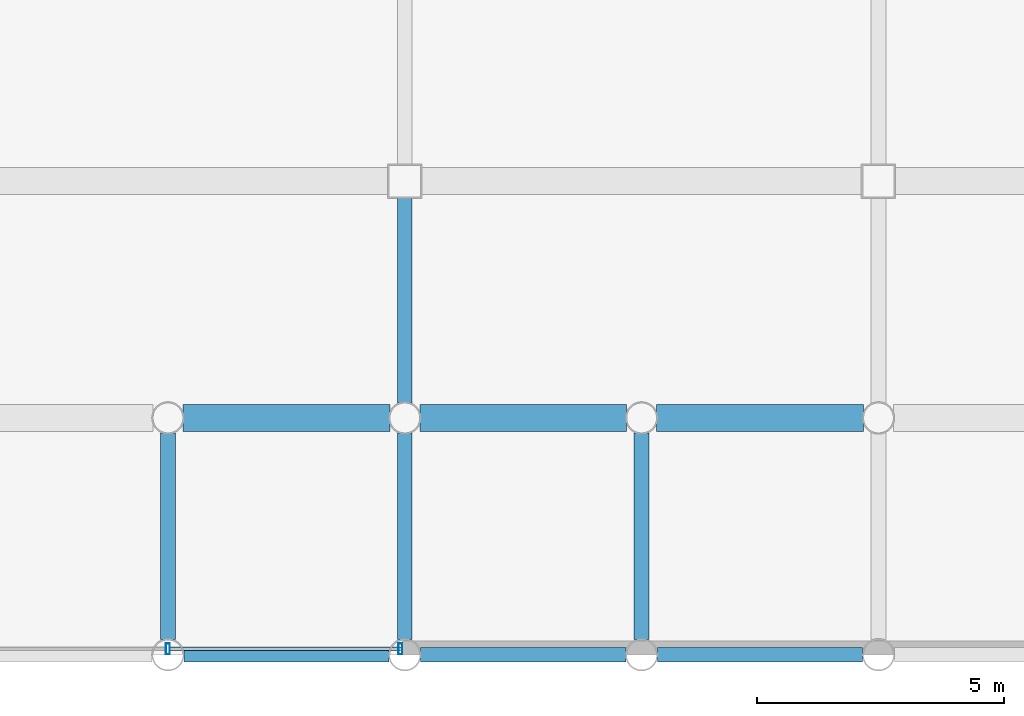
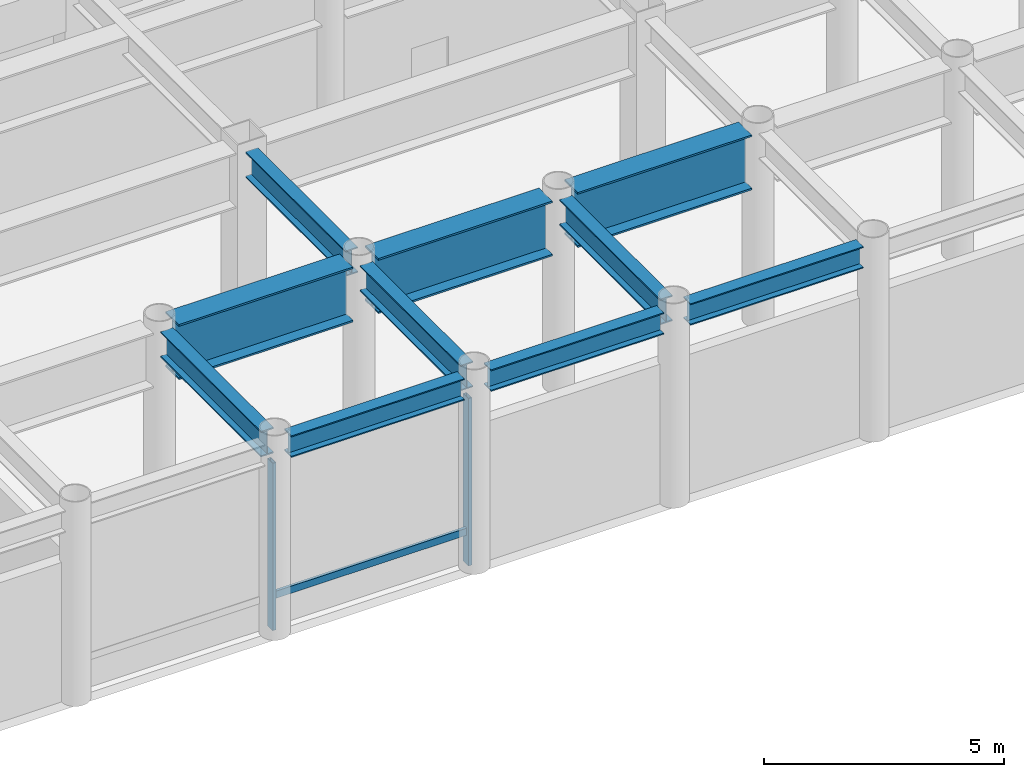
# One storey, part 6 of 20: 10 beams, 3 members, 1 element without a shape of its own.
"""IFC4 building model written with IfcOpenShell, lengths in metres."""

from ifc_helpers import new_model, si_unit, direction, frame, origin, origin_2d, place, context, subcontext, project, spatial, hollow_rectangle, i_section, extrude, material, layer, layer_set, material_profile, profile_set, type_object, element, aggregate, save


model = new_model("IFC4")

# Units and contexts
model_context = context("Model", 3, precision=1e-05, world=origin(), true_north=direction((0.0, 1.0)))
body_context = subcontext(model_context, "Body", "Model", "MODEL_VIEW")
ifc_project = project(units=[si_unit("LENGTHUNIT", "METRE"), si_unit("AREAUNIT", "SQUARE_METRE"), si_unit("VOLUMEUNIT", "CUBIC_METRE"), si_unit("PLANEANGLEUNIT", "RADIAN"), si_unit("MASSUNIT", "GRAM", prefix="KILO")], contexts=[model_context])

# Site, building, storey
site_placement = place(None, origin())
site = spatial("IfcSite", under=ifc_project, at=site_placement, CompositionType="ELEMENT")
building_placement = place(site_placement, origin())
building = spatial("IfcBuilding", under=site, at=building_placement, Name="Kallvorn Hotel Tower", CompositionType="ELEMENT")
storey_placement = place(building_placement, frame((0.0, 0.0, 180.300048828125)))
storey = spatial("IfcBuildingStorey", under=building, at=storey_placement, Name="L45", CompositionType="ELEMENT", Elevation=180.300048828125)

# Beams
ifc_material_1 = material(Name="Structural steel S355JR", Category="steel")
ifc_material_profile_1 = material_profile(ifc_material_1, i_section(OverallWidth=0.300048828125, OverallDepth=0.550048828125, WebThickness=0.014892578125, FlangeThickness=0.029052734375, at=origin_2d()), Name="HE 550 B")
ifc_profile_set_1 = profile_set([ifc_material_profile_1], Name="Structural steel S355JR")
beam_type_1 = type_object("IfcBeamType", Name="BM_HE550B", PredefinedType="SPANDREL", material=ifc_profile_set_1)
for number, where, z_axis, x_axis, name in (
    (1, (0.320068359375, -24.0, 4.675048828125), (1.0, 0.0, 0.0), (0.0, 1.0, 0.0), "L46 Perimeter Spandrel 157"),
    (2, (5.1201171875, -24.0, 4.675048828125), (1.0, 0.0, 0.0), (0.0, 1.0, 0.0), "L46 Perimeter Spandrel 158"),
):
    element("IfcBeam", number, at=place(storey_placement, frame(where, z_axis=z_axis, x_axis=x_axis)), inside=storey, type_object=beam_type_1, Name=name, PredefinedType="SPANDREL", context=body_context, shape_type="SweptSolid", body=[
        extrude(i_section(OverallWidth=0.300048828125, OverallDepth=0.550048828125, WebThickness=0.014892578125, FlangeThickness=0.029052734375, at=origin_2d()), origin(), (0.0, 0.0, 1.0), 4.159912109375),
    ])
beam_1_placement = place(storey_placement, frame((9.919921875, -24.0, 4.675048828125), z_axis=(1.0, 0.0, 0.0), x_axis=(0.0, 1.0, 0.0)))
element("IfcBeam", 3, at=beam_1_placement, inside=storey, type_object=beam_type_1, Name="L46 Perimeter Spandrel 159", PredefinedType="SPANDREL", context=body_context, shape_type="SweptSolid", body=[
    extrude(i_section(OverallWidth=0.300048828125, OverallDepth=0.550048828125, WebThickness=0.014892578125, FlangeThickness=0.029052734375, at=origin_2d()), origin(), (0.0, 0.0, 1.0), 4.16015625),
])
ifc_material_2 = material(Name="Structural steel S355JR", Category="steel")
ifc_material_profile_2 = material_profile(ifc_material_2, i_section(OverallWidth=0.300048828125, OverallDepth=0.64990234375, WebThickness=0.01611328125, FlangeThickness=0.031005859375, at=origin_2d()), Name="HE 650 B")
ifc_profile_set_2 = profile_set([ifc_material_profile_2], Name="Structural steel S355JR")
beam_type_2 = type_object("IfcBeamType", Name="BM_HE650B", PredefinedType="BEAM", material=ifc_profile_set_2)
for number, where, z_axis, x_axis, name in (
    (4, (0.0, -23.695068359375, 4.625), (0.0, 1.0, 0.0), (-1.0, 0.0, 0.0), "L46 Primary Y-Girder 111"),
    (5, (4.800048828125, -23.695068359375, 4.625), (0.0, 1.0, 0.0), (-1.0, 0.0, 0.0), "L46 Primary Y-Girder 114"),
):
    element("IfcBeam", number, at=place(storey_placement, frame(where, z_axis=z_axis, x_axis=x_axis)), inside=storey, type_object=beam_type_2, Name=name, PredefinedType="BEAM", context=body_context, shape_type="SweptSolid", body=[
        extrude(i_section(OverallWidth=0.300048828125, OverallDepth=0.64990234375, WebThickness=0.01611328125, FlangeThickness=0.031005859375, at=origin_2d()), origin(), (0.0, 0.0, 1.0), 4.190185546875),
    ])
beam_2_placement = place(storey_placement, frame((4.800048828125, -18.89501953125, 4.625), z_axis=(0.0, 1.0, 0.0), x_axis=(-1.0, 0.0, 0.0)))
element("IfcBeam", 6, at=beam_2_placement, inside=storey, type_object=beam_type_2, Name="L46 Primary Y-Girder 115", PredefinedType="BEAM", context=body_context, shape_type="SweptSolid", body=[
    extrude(i_section(OverallWidth=0.300048828125, OverallDepth=0.64990234375, WebThickness=0.01611328125, FlangeThickness=0.031005859375, at=origin_2d()), origin(), (0.0, 0.0, 1.0), 4.169921875),
])
beam_3_placement = place(storey_placement, frame((9.60009765625, -23.695068359375, 4.625), z_axis=(0.0, 1.0, 0.0), x_axis=(-1.0, 0.0, 0.0)))
element("IfcBeam", 7, at=beam_3_placement, inside=storey, type_object=beam_type_2, Name="L46 Primary Y-Girder 119", PredefinedType="BEAM", context=body_context, shape_type="SweptSolid", body=[
    extrude(i_section(OverallWidth=0.300048828125, OverallDepth=0.64990234375, WebThickness=0.01611328125, FlangeThickness=0.031005859375, at=origin_2d()), origin(), (0.0, 0.0, 1.0), 4.190185546875),
])
ifc_material_3 = material(Name="Structural steel S355JR", Category="steel")
ifc_material_profile_3 = material_profile(ifc_material_3, i_section(OverallWidth=0.550048828125, OverallDepth=1.39990234375, WebThickness=0.02490234375, FlangeThickness=0.044921875, at=origin_2d()), Name="PG 1400x550x25x45")
ifc_profile_set_3 = profile_set([ifc_material_profile_3], Name="Structural steel S355JR")
beam_type_3 = type_object("IfcBeamType", Name="BM_PG_1400", PredefinedType="BEAM", material=ifc_profile_set_3)
beam_4_placement = place(storey_placement, frame((0.304931640625, -19.199951171875, 4.25), z_axis=(1.0, 0.0, 0.0), x_axis=(0.0, 1.0, 0.0)))
element("IfcBeam", 8, at=beam_4_placement, inside=storey, type_object=beam_type_3, Name="L46 Primary X-Girder 08", PredefinedType="BEAM", context=body_context, shape_type="SweptSolid", body=[
    extrude(i_section(OverallWidth=0.550048828125, OverallDepth=1.39990234375, WebThickness=0.02490234375, FlangeThickness=0.044921875, at=origin_2d()), origin(), (0.0, 0.0, 1.0), 4.190185546875),
])
for number, where, z_axis, x_axis, name in (
    (9, (5.10498046875, -19.199951171875, 4.25), (1.0, 0.0, 0.0), (0.0, 1.0, 0.0), "L46 Primary X-Girder 09"),
    (10, (9.905029296875, -19.199951171875, 4.25), (1.0, 0.0, 0.0), (0.0, 1.0, 0.0), "L46 Primary X-Girder 10"),
):
    element("IfcBeam", number, at=place(storey_placement, frame(where, z_axis=z_axis, x_axis=x_axis)), inside=storey, type_object=beam_type_3, Name=name, PredefinedType="BEAM", context=body_context, shape_type="SweptSolid", body=[
        extrude(i_section(OverallWidth=0.550048828125, OverallDepth=1.39990234375, WebThickness=0.02490234375, FlangeThickness=0.044921875, at=origin_2d()), origin(), (0.0, 0.0, 1.0), 4.18994140625),
    ])

# Curtain wall, members
ifc_material_4 = material(Name="Thermally broken black-anodised aluminium AA 6063-T6", Category="aluminium")
ifc_layer = layer(ifc_material_4, 0.22998046875)
ifc_layer_set = layer_set([ifc_layer], Name="CW_SYS_5_HOTEL_HIGH")
curtain_wall_type = type_object("IfcCurtainWallType", Name="CW_SYS_5_HOTEL_HIGH", PredefinedType="USERDEFINED", material=ifc_layer_set)
curtain_wall_placement = place(storey_placement, origin())
curtain_wall = element("IfcCurtainWall", 11, at=curtain_wall_placement, inside=storey, type_object=curtain_wall_type, Name="L45 Dark-Glass Curtain Wall CW-L45-SC", ObjectType="UNITISED CURTAIN WALL", PredefinedType="USERDEFINED")
ifc_material_5 = material(Name="Thermally broken black-anodised aluminium AA 6063-T6", Category="aluminium")
ifc_material_profile_4 = material_profile(ifc_material_5, hollow_rectangle(XDim=0.080078125, YDim=0.219970703125, WallThickness=0.0048828125, at=origin_2d()), Name="MUL 220x80")
ifc_profile_set_4 = profile_set([ifc_material_profile_4], Name="Thermally broken black-anodised aluminium AA 6063-T6")
member_type_1 = type_object("IfcMemberType", Name="CW_MULLION_220x80", PredefinedType="MULLION", material=ifc_profile_set_4)
member_1_placement = place(storey_placement, frame((0.0, -23.8798828125, 0.02001953125), z_axis=(0.0, 0.0, 1.0), x_axis=(1.0, 0.0, 0.0)))
member_1 = element("IfcMember", 12, at=member_1_placement, type_object=member_type_1, Name="CW-L45-SC Mullion 01", PredefinedType="MULLION", context=body_context, shape_type="SweptSolid", body=[
    extrude(hollow_rectangle(XDim=0.080078125, YDim=0.219970703125, WallThickness=0.0048828125, at=origin_2d()), origin(), (0.0, 0.0, 1.0), 4.260009765625),
])
member_2_placement = place(storey_placement, frame((4.7099609375, -23.8798828125, 0.02001953125), z_axis=(0.0, 0.0, 1.0), x_axis=(1.0, 0.0, 0.0)))
member_2 = element("IfcMember", 13, at=member_2_placement, type_object=member_type_1, Name="CW-L45-SC Mullion 02", PredefinedType="MULLION", context=body_context, shape_type="SweptSolid", body=[
    extrude(hollow_rectangle(XDim=0.080078125, YDim=0.219970703125, WallThickness=0.0048828125, at=origin_2d()), origin(), (0.0, 0.0, 1.0), 4.260009765625),
])
ifc_material_6 = material(Name="Thermally broken black-anodised aluminium AA 6063-T6", Category="aluminium")
ifc_material_profile_5 = material_profile(ifc_material_6, hollow_rectangle(XDim=0.070068359375, YDim=0.179931640625, WallThickness=0.00390625, at=origin_2d()), Name="TRN 180x70")
ifc_profile_set_5 = profile_set([ifc_material_profile_5], Name="Thermally broken black-anodised aluminium AA 6063-T6")
member_type_2 = type_object("IfcMemberType", Name="CW_TRANSOM_180x70", PredefinedType="USERDEFINED", material=ifc_profile_set_5)
member_3_placement = place(storey_placement, frame((0.0400390625, -23.8798828125, 0.849853515625), z_axis=(1.0, 0.0, 0.0), x_axis=(0.0, 1.0, 0.0)))
member_3 = element("IfcMember", 14, at=member_3_placement, type_object=member_type_2, Name="CW-L45-SC Transom 01M", ObjectType="TRANSOM", PredefinedType="USERDEFINED", context=body_context, shape_type="SweptSolid", body=[
    extrude(hollow_rectangle(XDim=0.070068359375, YDim=0.179931640625, WallThickness=0.00390625, at=origin_2d()), origin(), (0.0, 0.0, 1.0), 4.669921875),
])
aggregate(curtain_wall, [member_1, member_2, member_3])

save(model, "model.ifc")
